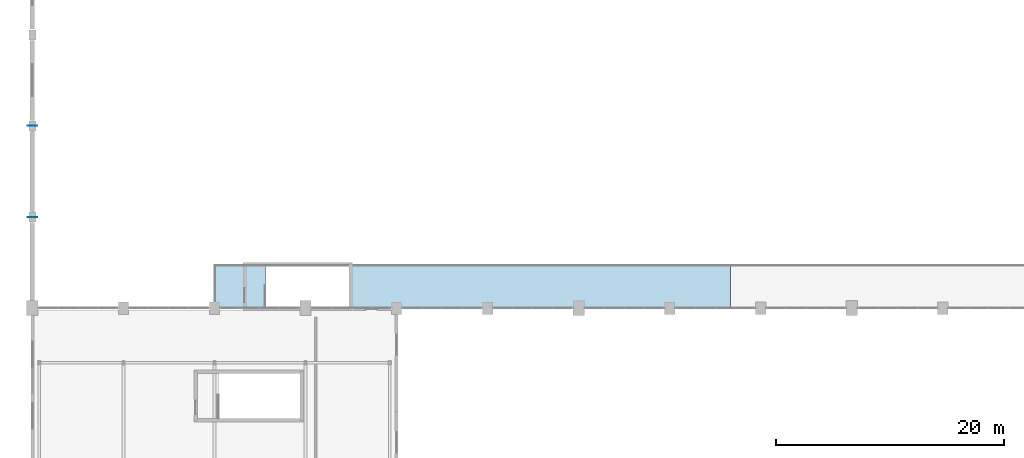
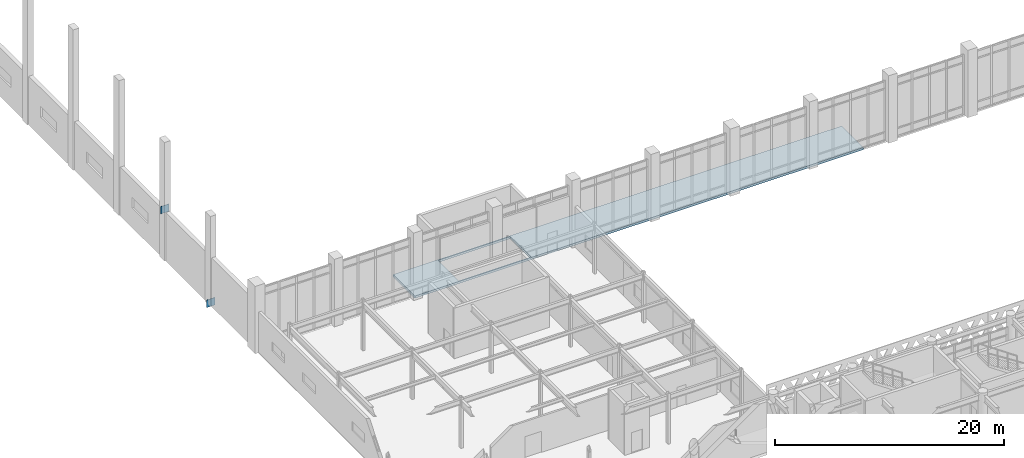
# One storey, part 54 of 84: 2 plates, 1 slab.
"""IFC4 building model written with IfcOpenShell, lengths in metres."""

import ifcopenshell
import ifcopenshell.guid

model = None  # the IFC model being written
_history = None  # IfcOwnerHistory: only IFC2X3 demands one
_inside = {}  # id of a spatial element -> (the spatial element, [elements in it])
_under = {}  # id of a project, library or spatial element -> (it, [spatial elements below it])
_declared = {}  # id of a project -> (the project, [libraries it declares])
_typed = {}  # id of a type object -> (the type object, [elements of that type])
_made_of = {}  # id of a material, layer set ... -> (it, [elements and type objects made of it])


def new_model(schema):
    """Start an empty IFC model of exactly this schema.

    Asked for "IFC4X3", IfcOpenShell would pick the latest addendum, in which some entities
    have other attributes; the version numbers below select the first issue.
    IFC2X3 requires an IfcOwnerHistory on every rooted entity: one is made here for all.
    """
    global model, _history
    if schema == "IFC4X3":
        model = ifcopenshell.file(schema_version=(4, 3, 0, 0))
    else:
        model = ifcopenshell.file(schema=schema)
    _inside.clear()
    _under.clear()
    _declared.clear()
    _typed.clear()
    _made_of.clear()
    _history = None
    if model.schema == "IFC2X3":
        org = make("IfcOrganization", Name="unknown")
        user = make(
            "IfcPersonAndOrganization",
            ThePerson=make("IfcPerson", FamilyName="unknown"),
            TheOrganization=org,
        )
        app = make(
            "IfcApplication",
            ApplicationDeveloper=org,
            Version="unknown",
            ApplicationFullName="unknown",
            ApplicationIdentifier="unknown",
        )
        _history = make(
            "IfcOwnerHistory",
            OwningUser=user,
            OwningApplication=app,
            ChangeAction="ADDED",
            CreationDate=0,
        )
    return model


def make(cls, **values):
    """One entity of the class cls with the attributes given. An attribute that is None is left unset."""
    return model.create_entity(
        cls, **{name: value for name, value in values.items() if value is not None}
    )


def rooted(cls, **values):
    """An entity with a GlobalId (a new one), such as an element, a storey or a relation."""
    return make(cls, GlobalId=ifcopenshell.guid.new(), OwnerHistory=_history, **values)


def si_unit(unit_type, name, prefix=None):
    """IfcSIUnit, for example si_unit("LENGTHUNIT", "METRE", prefix="MILLI")."""
    return make("IfcSIUnit", UnitType=unit_type, Prefix=prefix, Name=name)


def assignment(units):
    """IfcUnitAssignment: the units of a project."""
    return None if units is None else make("IfcUnitAssignment", Units=units)


def point(xyz):
    """IfcCartesianPoint."""
    return None if xyz is None else make("IfcCartesianPoint", Coordinates=xyz)


def direction(xyz):
    """IfcDirection."""
    return None if xyz is None else make("IfcDirection", DirectionRatios=xyz)


def frame(location, z_axis=None, x_axis=None):
    """IfcAxis2Placement3D, a coordinate frame: its origin and axes. An axis left out is left unset."""
    return make(
        "IfcAxis2Placement3D",
        Location=point(location),
        Axis=direction(z_axis),
        RefDirection=direction(x_axis),
    )


def frame_2d(location, x_axis=None):
    """IfcAxis2Placement2D, a coordinate frame in the plane: its origin and x axis."""
    return make(
        "IfcAxis2Placement2D", Location=point(location), RefDirection=direction(x_axis)
    )


def origin():
    """The frame at (0, 0, 0) with its axes left unset."""
    return frame((0.0, 0.0, 0.0))


def origin_2d():
    """The frame at (0, 0) in the plane with its x axis left unset."""
    return frame_2d((0.0, 0.0))


def place(relative_to, where):
    """IfcLocalPlacement: puts the frame where relative to a parent placement (None: the world)."""
    return make(
        "IfcLocalPlacement", PlacementRelTo=relative_to, RelativePlacement=where
    )


def context(
    kind, dimensions, precision=None, world=None, true_north=None, identifier=None
):
    """IfcGeometricRepresentationContext, for example the 3D "Model" context."""
    return make(
        "IfcGeometricRepresentationContext",
        ContextIdentifier=identifier,
        ContextType=kind,
        CoordinateSpaceDimension=dimensions,
        Precision=precision,
        WorldCoordinateSystem=world,
        TrueNorth=true_north,
    )


def subcontext(parent, identifier, kind, view, scale=None):
    """IfcGeometricRepresentationSubContext, for example "Body" below "Model"."""
    return make(
        "IfcGeometricRepresentationSubContext",
        ContextIdentifier=identifier,
        ContextType=kind,
        ParentContext=parent,
        TargetScale=scale,
        TargetView=view,
    )


def project(units=None, contexts=None):
    """IfcProject with its units and contexts."""
    return rooted(
        "IfcProject",
        Name="project",
        RepresentationContexts=contexts,
        UnitsInContext=assignment(units),
    )


def spatial(cls, under=None, at=None, **own):
    """A site, building, storey or space (cls), placed at a placement, below another one or the project."""
    s = rooted(cls, ObjectPlacement=at, **own)
    if under is not None:
        _under.setdefault(under.id(), (under, []))[1].append(s)
    return s


def polyline(points):
    """IfcPolyline through the points."""
    return make("IfcPolyline", Points=[point(p) for p in points])


def profile(cls, at=None, kind="AREA", **sizes):
    """A parametric profile (cls). Its sizes go by their IFC names, for example OverallWidth=200.0."""
    return make(cls, ProfileType=kind, Position=at, **sizes)


def rectangle(**sizes):
    """IfcRectangleProfileDef."""
    return profile("IfcRectangleProfileDef", **sizes)


def outline(outer, holes=None, kind="AREA"):
    """IfcArbitraryClosedProfileDef: a profile drawn as a closed curve; with holes, ...WithVoids."""
    if holes is None:
        return make("IfcArbitraryClosedProfileDef", ProfileType=kind, OuterCurve=outer)
    return make(
        "IfcArbitraryProfileDefWithVoids",
        ProfileType=kind,
        OuterCurve=outer,
        InnerCurves=holes,
    )


def extrude(swept, where, along, depth):
    """IfcExtrudedAreaSolid: the profile swept, set in the frame where, extruded along a direction by depth."""
    return make(
        "IfcExtrudedAreaSolid",
        SweptArea=swept,
        Position=where,
        ExtrudedDirection=direction(along),
        Depth=depth,
    )


def shape(context_of_items, identifier, shape_type, items):
    """IfcShapeRepresentation: the items that make up one representation, for example the "Body"."""
    return make(
        "IfcShapeRepresentation",
        ContextOfItems=context_of_items,
        RepresentationIdentifier=identifier,
        RepresentationType=shape_type,
        Items=items,
    )


def material(Name=None, Category=None):
    """IfcMaterial."""
    return make("IfcMaterial", Name=Name, Category=Category)


def layer(
    of_material, thickness, ventilated=None, Name=None, Category=None, Priority=None
):
    """IfcMaterialLayer: one layer of a wall or slab, of a material (None: an air gap)."""
    return make(
        "IfcMaterialLayer",
        Material=of_material,
        LayerThickness=thickness,
        IsVentilated=ventilated,
        Name=Name,
        Category=Category,
        Priority=Priority,
    )


def layer_set(layers, Name=None):
    """IfcMaterialLayerSet."""
    return make("IfcMaterialLayerSet", MaterialLayers=layers, LayerSetName=Name)


def made_of(thing, what):
    """Note that an element or type object is made of a material, layer set ...; save() writes the relation."""
    if what is not None:
        _made_of.setdefault(what.id(), (what, []))[1].append(thing)
    return thing


def type_object(cls, material=None, **own):
    """A type object (cls), such as IfcWallType, which elements share."""
    return made_of(rooted(cls, **own), material)


def element(
    cls,
    number,
    at=None,
    inside=None,
    cuts=None,
    type_object=None,
    material=None,
    context=None,
    identifier="Body",
    shape_type=None,
    held_by="IfcProductDefinitionShape",
    body=None,
    shapes=None,
    **own,
):
    """One element of the class cls, such as IfcWall. Its Tag is "e" and its number.

    at: its placement. inside: the storey or other place that contains it. cuts: it is an
    opening in that element (IfcRelVoidsElement). A single representation is given by context,
    identifier, shape_type and body (its items); several are given by shapes. held_by: the class
    of the entity that holds the representations. save() writes the other relations.
    """
    e = rooted(cls, Tag="e%d" % number, ObjectPlacement=at, **own)
    if body is not None:
        shapes = [shape(context, identifier, shape_type, body)]
    if shapes is not None:
        e.Representation = make(held_by, Representations=shapes)
    if inside is not None:
        _inside.setdefault(inside.id(), (inside, []))[1].append(e)
    if cuts is not None:
        rooted(
            "IfcRelVoidsElement", RelatingBuildingElement=cuts, RelatedOpeningElement=e
        )
    if type_object is not None:
        _typed.setdefault(type_object.id(), (type_object, []))[1].append(e)
    return made_of(e, material)


def aggregate(whole, parts):
    """IfcRelAggregates: a whole, such as a stair, and the parts it consists of."""
    return rooted("IfcRelAggregates", RelatingObject=whole, RelatedObjects=parts)


def save(model, path):
    """Write the relations noted so far, then the file.

    IfcRelAggregates (storeys below a building ...), IfcRelContainedInSpatialStructure (elements
    in a storey), IfcRelDefinesByType, IfcRelAssociatesMaterial and IfcRelDeclares: one each for
    every whole, place, type object, material and project.
    """
    for whole, parts in _under.values():
        aggregate(whole, parts)
    for where, things in _inside.values():
        rooted(
            "IfcRelContainedInSpatialStructure",
            RelatedElements=things,
            RelatingStructure=where,
        )
    for kind, things in _typed.values():
        rooted("IfcRelDefinesByType", RelatedObjects=things, RelatingType=kind)
    for what, things in _made_of.values():
        rooted("IfcRelAssociatesMaterial", RelatedObjects=things, RelatingMaterial=what)
    for by, libraries in _declared.values():
        rooted("IfcRelDeclares", RelatingContext=by, RelatedDefinitions=libraries)
    model.write(path)


model = new_model("IFC4")

# Units and contexts
model_context = context("Model", 3, precision=1e-05, world=origin(), true_north=direction((0.0, 1.0)))
body_context = subcontext(model_context, "Body", "Model", "MODEL_VIEW")
ifc_project = project(units=[si_unit("LENGTHUNIT", "METRE"), si_unit("AREAUNIT", "SQUARE_METRE"), si_unit("VOLUMEUNIT", "CUBIC_METRE"), si_unit("PLANEANGLEUNIT", "RADIAN"), si_unit("MASSUNIT", "GRAM", prefix="KILO")], contexts=[model_context])

# Site, building, storey
site_placement = place(None, origin())
site = spatial("IfcSite", under=ifc_project, at=site_placement, CompositionType="ELEMENT")
building_placement = place(site_placement, origin())
building = spatial("IfcBuilding", under=site, at=building_placement, Name="Tlacozan Convention Centre", CompositionType="ELEMENT")
storey_placement = place(building_placement, frame((0.0, 0.0, 6.0)))
storey = spatial("IfcBuildingStorey", under=building, at=storey_placement, Name="L01", CompositionType="ELEMENT", Elevation=6.0)

# Plates
ifc_material_1 = material(Name="Steel ASTM A572 Grade 50", Category="steel")
ifc_layer_1 = layer(ifc_material_1, 0.034912109375)
ifc_layer_set_1 = layer_set([ifc_layer_1], Name="Steel ASTM A572 Grade 50")
plate_type = type_object("IfcPlateType", Name="Arch Crown Splice Gusset Plate", PredefinedType="SHEET", material=ifc_layer_set_1)
for number, where, z_axis, x_axis, name in (
    (1, (0.0, 69.98193359375, -0.3115234375), (0.0, 0.0, 1.0), (0.0, 1.0, 0.0), "L01 Gusset Cap Plate 965"),
    (2, (0.0, 78.01806640625, 4.8115234375), (0.0, 0.0, 1.0), (0.0, 1.0, 0.0), "L01 Gusset Cap Plate 966"),
):
    element("IfcPlate", number, at=place(storey_placement, frame(where, z_axis=z_axis, x_axis=x_axis)), inside=storey, type_object=plate_type, Name=name, PredefinedType="SHEET", context=body_context, shape_type="SweptSolid", body=[
        extrude(rectangle(XDim=0.034912109375, YDim=0.85009765625, at=origin_2d()), origin(), (0.0, 0.0, 1.0), 0.800048828125),
    ])

# Slab
ifc_material_2 = material(Name="Concrete C40/50", Category="concrete")
ifc_layer_2 = layer(ifc_material_2, 0.22998046875)
ifc_layer_set_2 = layer_set([ifc_layer_2], Name="Concrete C40/50")
slab_type = type_object("IfcSlabType", Name="Mezzanine Viewing Deck Slab 230", PredefinedType="FLOOR", material=ifc_layer_set_2)
slab_placement = place(storey_placement, frame((0.0, 0.0, -0.22998046875)))
element("IfcSlab", 3, at=slab_placement, inside=storey, type_object=slab_type, Name="L01 Mezzanine Viewing Deck Slab 230 58", PredefinedType="FLOOR", context=body_context, shape_type="SweptSolid", body=[
    extrude(outline(polyline([(16.0, 62.0), (16.0, 65.800048828125), (61.333251953125, 65.800048828125), (61.333251953125, 62.0), (16.0, 62.0)]), holes=[polyline([(20.5, 62.10009765625), (27.800048828125, 62.10009765625), (27.800048828125, 65.699951171875), (20.5, 65.699951171875), (20.5, 62.10009765625)])]), origin(), (0.0, 0.0, 1.0), 0.22998046875),
])

save(model, "model.ifc")
